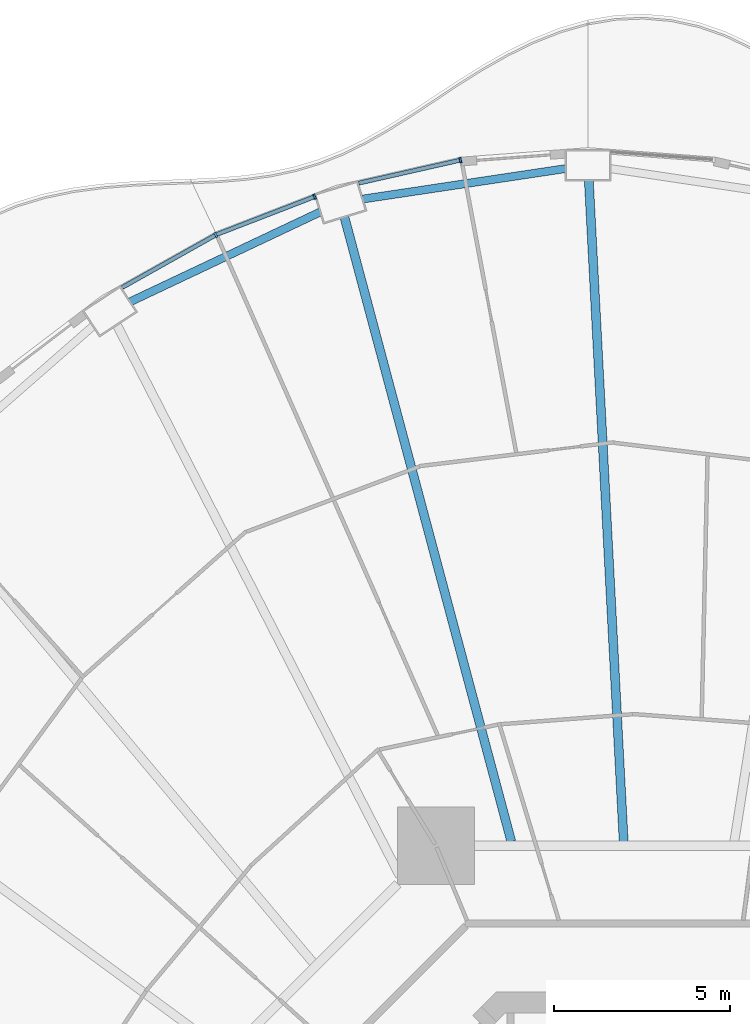
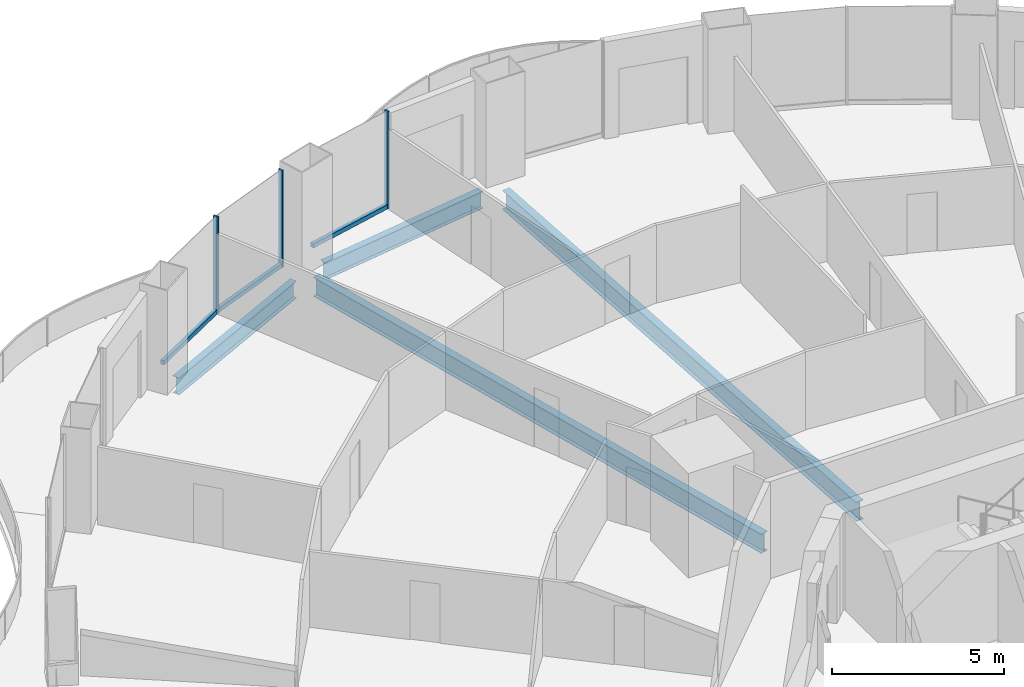
# One storey, part 9 of 22: 6 members, 4 beams, 3 elements without a shape of their own.
"""IFC4 building model written with IfcOpenShell, lengths in metres."""

import ifcopenshell
import ifcopenshell.guid

model = None  # the IFC model being written
_history = None  # IfcOwnerHistory: only IFC2X3 demands one
_inside = {}  # id of a spatial element -> (the spatial element, [elements in it])
_under = {}  # id of a project, library or spatial element -> (it, [spatial elements below it])
_declared = {}  # id of a project -> (the project, [libraries it declares])
_typed = {}  # id of a type object -> (the type object, [elements of that type])
_made_of = {}  # id of a material, layer set ... -> (it, [elements and type objects made of it])


def new_model(schema):
    """Start an empty IFC model of exactly this schema.

    Asked for "IFC4X3", IfcOpenShell would pick the latest addendum, in which some entities
    have other attributes; the version numbers below select the first issue.
    IFC2X3 requires an IfcOwnerHistory on every rooted entity: one is made here for all.
    """
    global model, _history
    if schema == "IFC4X3":
        model = ifcopenshell.file(schema_version=(4, 3, 0, 0))
    else:
        model = ifcopenshell.file(schema=schema)
    _inside.clear()
    _under.clear()
    _declared.clear()
    _typed.clear()
    _made_of.clear()
    _history = None
    if model.schema == "IFC2X3":
        org = make("IfcOrganization", Name="unknown")
        user = make(
            "IfcPersonAndOrganization",
            ThePerson=make("IfcPerson", FamilyName="unknown"),
            TheOrganization=org,
        )
        app = make(
            "IfcApplication",
            ApplicationDeveloper=org,
            Version="unknown",
            ApplicationFullName="unknown",
            ApplicationIdentifier="unknown",
        )
        _history = make(
            "IfcOwnerHistory",
            OwningUser=user,
            OwningApplication=app,
            ChangeAction="ADDED",
            CreationDate=0,
        )
    return model


def make(cls, **values):
    """One entity of the class cls with the attributes given. An attribute that is None is left unset."""
    return model.create_entity(
        cls, **{name: value for name, value in values.items() if value is not None}
    )


def rooted(cls, **values):
    """An entity with a GlobalId (a new one), such as an element, a storey or a relation."""
    return make(cls, GlobalId=ifcopenshell.guid.new(), OwnerHistory=_history, **values)


def si_unit(unit_type, name, prefix=None):
    """IfcSIUnit, for example si_unit("LENGTHUNIT", "METRE", prefix="MILLI")."""
    return make("IfcSIUnit", UnitType=unit_type, Prefix=prefix, Name=name)


def assignment(units):
    """IfcUnitAssignment: the units of a project."""
    return None if units is None else make("IfcUnitAssignment", Units=units)


def point(xyz):
    """IfcCartesianPoint."""
    return None if xyz is None else make("IfcCartesianPoint", Coordinates=xyz)


def direction(xyz):
    """IfcDirection."""
    return None if xyz is None else make("IfcDirection", DirectionRatios=xyz)


def frame(location, z_axis=None, x_axis=None):
    """IfcAxis2Placement3D, a coordinate frame: its origin and axes. An axis left out is left unset."""
    return make(
        "IfcAxis2Placement3D",
        Location=point(location),
        Axis=direction(z_axis),
        RefDirection=direction(x_axis),
    )


def frame_2d(location, x_axis=None):
    """IfcAxis2Placement2D, a coordinate frame in the plane: its origin and x axis."""
    return make(
        "IfcAxis2Placement2D", Location=point(location), RefDirection=direction(x_axis)
    )


def origin():
    """The frame at (0, 0, 0) with its axes left unset."""
    return frame((0.0, 0.0, 0.0))


def origin_2d():
    """The frame at (0, 0) in the plane with its x axis left unset."""
    return frame_2d((0.0, 0.0))


def place(relative_to, where):
    """IfcLocalPlacement: puts the frame where relative to a parent placement (None: the world)."""
    return make(
        "IfcLocalPlacement", PlacementRelTo=relative_to, RelativePlacement=where
    )


def context(
    kind, dimensions, precision=None, world=None, true_north=None, identifier=None
):
    """IfcGeometricRepresentationContext, for example the 3D "Model" context."""
    return make(
        "IfcGeometricRepresentationContext",
        ContextIdentifier=identifier,
        ContextType=kind,
        CoordinateSpaceDimension=dimensions,
        Precision=precision,
        WorldCoordinateSystem=world,
        TrueNorth=true_north,
    )


def subcontext(parent, identifier, kind, view, scale=None):
    """IfcGeometricRepresentationSubContext, for example "Body" below "Model"."""
    return make(
        "IfcGeometricRepresentationSubContext",
        ContextIdentifier=identifier,
        ContextType=kind,
        ParentContext=parent,
        TargetScale=scale,
        TargetView=view,
    )


def project(units=None, contexts=None):
    """IfcProject with its units and contexts."""
    return rooted(
        "IfcProject",
        Name="project",
        RepresentationContexts=contexts,
        UnitsInContext=assignment(units),
    )


def spatial(cls, under=None, at=None, **own):
    """A site, building, storey or space (cls), placed at a placement, below another one or the project."""
    s = rooted(cls, ObjectPlacement=at, **own)
    if under is not None:
        _under.setdefault(under.id(), (under, []))[1].append(s)
    return s


def profile(cls, at=None, kind="AREA", **sizes):
    """A parametric profile (cls). Its sizes go by their IFC names, for example OverallWidth=200.0."""
    return make(cls, ProfileType=kind, Position=at, **sizes)


def rectangle(**sizes):
    """IfcRectangleProfileDef."""
    return profile("IfcRectangleProfileDef", **sizes)


def i_section(**sizes):
    """IfcIShapeProfileDef."""
    return profile("IfcIShapeProfileDef", **sizes)


def extrude(swept, where, along, depth):
    """IfcExtrudedAreaSolid: the profile swept, set in the frame where, extruded along a direction by depth."""
    return make(
        "IfcExtrudedAreaSolid",
        SweptArea=swept,
        Position=where,
        ExtrudedDirection=direction(along),
        Depth=depth,
    )


def shape(context_of_items, identifier, shape_type, items):
    """IfcShapeRepresentation: the items that make up one representation, for example the "Body"."""
    return make(
        "IfcShapeRepresentation",
        ContextOfItems=context_of_items,
        RepresentationIdentifier=identifier,
        RepresentationType=shape_type,
        Items=items,
    )


def material(Name=None, Category=None):
    """IfcMaterial."""
    return make("IfcMaterial", Name=Name, Category=Category)


def layer(
    of_material, thickness, ventilated=None, Name=None, Category=None, Priority=None
):
    """IfcMaterialLayer: one layer of a wall or slab, of a material (None: an air gap)."""
    return make(
        "IfcMaterialLayer",
        Material=of_material,
        LayerThickness=thickness,
        IsVentilated=ventilated,
        Name=Name,
        Category=Category,
        Priority=Priority,
    )


def layer_set(layers, Name=None):
    """IfcMaterialLayerSet."""
    return make("IfcMaterialLayerSet", MaterialLayers=layers, LayerSetName=Name)


def material_profile(
    of_material, cross_section, Name=None, Category=None, Priority=None
):
    """IfcMaterialProfile: a cross section and its material."""
    return make(
        "IfcMaterialProfile",
        Name=Name,
        Material=of_material,
        Profile=cross_section,
        Priority=Priority,
        Category=Category,
    )


def profile_set(profiles, Name=None, composite=None):
    """IfcMaterialProfileSet."""
    return make(
        "IfcMaterialProfileSet",
        Name=Name,
        MaterialProfiles=profiles,
        CompositeProfile=composite,
    )


def made_of(thing, what):
    """Note that an element or type object is made of a material, layer set ...; save() writes the relation."""
    if what is not None:
        _made_of.setdefault(what.id(), (what, []))[1].append(thing)
    return thing


def type_object(cls, material=None, **own):
    """A type object (cls), such as IfcWallType, which elements share."""
    return made_of(rooted(cls, **own), material)


def element(
    cls,
    number,
    at=None,
    inside=None,
    cuts=None,
    type_object=None,
    material=None,
    context=None,
    identifier="Body",
    shape_type=None,
    held_by="IfcProductDefinitionShape",
    body=None,
    shapes=None,
    **own,
):
    """One element of the class cls, such as IfcWall. Its Tag is "e" and its number.

    at: its placement. inside: the storey or other place that contains it. cuts: it is an
    opening in that element (IfcRelVoidsElement). A single representation is given by context,
    identifier, shape_type and body (its items); several are given by shapes. held_by: the class
    of the entity that holds the representations. save() writes the other relations.
    """
    e = rooted(cls, Tag="e%d" % number, ObjectPlacement=at, **own)
    if body is not None:
        shapes = [shape(context, identifier, shape_type, body)]
    if shapes is not None:
        e.Representation = make(held_by, Representations=shapes)
    if inside is not None:
        _inside.setdefault(inside.id(), (inside, []))[1].append(e)
    if cuts is not None:
        rooted(
            "IfcRelVoidsElement", RelatingBuildingElement=cuts, RelatedOpeningElement=e
        )
    if type_object is not None:
        _typed.setdefault(type_object.id(), (type_object, []))[1].append(e)
    return made_of(e, material)


def aggregate(whole, parts):
    """IfcRelAggregates: a whole, such as a stair, and the parts it consists of."""
    return rooted("IfcRelAggregates", RelatingObject=whole, RelatedObjects=parts)


def save(model, path):
    """Write the relations noted so far, then the file.

    IfcRelAggregates (storeys below a building ...), IfcRelContainedInSpatialStructure (elements
    in a storey), IfcRelDefinesByType, IfcRelAssociatesMaterial and IfcRelDeclares: one each for
    every whole, place, type object, material and project.
    """
    for whole, parts in _under.values():
        aggregate(whole, parts)
    for where, things in _inside.values():
        rooted(
            "IfcRelContainedInSpatialStructure",
            RelatedElements=things,
            RelatingStructure=where,
        )
    for kind, things in _typed.values():
        rooted("IfcRelDefinesByType", RelatedObjects=things, RelatingType=kind)
    for what, things in _made_of.values():
        rooted("IfcRelAssociatesMaterial", RelatedObjects=things, RelatingMaterial=what)
    for by, libraries in _declared.values():
        rooted("IfcRelDeclares", RelatingContext=by, RelatedDefinitions=libraries)
    model.write(path)


model = new_model("IFC4")

# Units and contexts
model_context = context("Model", 3, precision=1e-05, world=origin(), true_north=direction((0.0, 1.0)))
body_context = subcontext(model_context, "Body", "Model", "MODEL_VIEW")
ifc_project = project(units=[si_unit("LENGTHUNIT", "METRE"), si_unit("AREAUNIT", "SQUARE_METRE"), si_unit("VOLUMEUNIT", "CUBIC_METRE"), si_unit("PLANEANGLEUNIT", "RADIAN"), si_unit("MASSUNIT", "GRAM", prefix="KILO")], contexts=[model_context])

# Site, building, storey
site_placement = place(None, origin())
site = spatial("IfcSite", under=ifc_project, at=site_placement, CompositionType="ELEMENT")
building_placement = place(site_placement, origin())
building = spatial("IfcBuilding", under=site, at=building_placement, Name="Nagisa Residences", CompositionType="ELEMENT")
storey_placement = place(building_placement, frame((0.0, 0.0, 77.0)))
storey = spatial("IfcBuildingStorey", under=building, at=storey_placement, Name="L18", CompositionType="ELEMENT", Elevation=77.0)

# Curtain wall, member
ifc_material_1 = material(Name="Concrete-coloured aluminium curtain wall system", Category="concrete")
ifc_layer = layer(ifc_material_1, 0.159912109375)
ifc_layer_set = layer_set([ifc_layer], Name="CW1 CURTAIN WALL")
curtain_wall_type = type_object("IfcCurtainWallType", Name="CW1 CURTAIN WALL", PredefinedType="NOTDEFINED", material=ifc_layer_set)
curtain_wall_1_placement = place(storey_placement, origin())
curtain_wall_1 = element("IfcCurtainWall", 1, at=curtain_wall_1_placement, inside=storey, type_object=curtain_wall_type, Name="cw:CW1:L18:13", PredefinedType="NOTDEFINED")
ifc_material_2 = material(Name="Concrete-coloured aluminium", Category="concrete")
ifc_material_profile_1 = material_profile(ifc_material_2, rectangle(XDim=0.159912109375, YDim=0.06005859375, at=origin_2d()), Name="CW1 MULLION 160x60")
ifc_profile_set_1 = profile_set([ifc_material_profile_1], Name="Concrete-coloured aluminium")
member_type_1 = type_object("IfcMemberType", Name="CW1 MULLION 160x60", PredefinedType="MULLION", material=ifc_profile_set_1)
member_1_placement = place(storey_placement, frame((-5.426513671875, 34.2783203125, 0.0), z_axis=(0.0, 0.0, 1.0), x_axis=(0.2207639201, -0.975327274089, 0.0)))
member_1 = element("IfcMember", 2, at=member_1_placement, type_object=member_type_1, Name="CW1 mullion", PredefinedType="MULLION", context=body_context, shape_type="SweptSolid", body=[
    extrude(rectangle(XDim=0.159912109375, YDim=0.06005859375, at=origin_2d()), origin(), (0.0, 0.0, 1.0), 3.43994140625),
])

curtain_wall_2_placement = place(storey_placement, origin())
curtain_wall_2 = element("IfcCurtainWall", 3, at=curtain_wall_2_placement, inside=storey, type_object=curtain_wall_type, Name="cw:CW1:L18:14", PredefinedType="NOTDEFINED")
member_2_placement = place(storey_placement, frame((-9.573486328125, 33.2392578125, 0.0), z_axis=(0.0, 0.0, 1.0), x_axis=(0.360327770268, -0.932825759707, 0.0)))
member_2 = element("IfcMember", 4, at=member_2_placement, type_object=member_type_1, Name="CW1 mullion", PredefinedType="MULLION", context=body_context, shape_type="SweptSolid", body=[
    extrude(rectangle(XDim=0.159912109375, YDim=0.06005859375, at=origin_2d()), origin(), (0.0, 0.0, 1.0), 3.43994140625),
])

curtain_wall_3_placement = place(storey_placement, origin())
curtain_wall_3 = element("IfcCurtainWall", 5, at=curtain_wall_3_placement, inside=storey, type_object=curtain_wall_type, Name="cw:CW1:L18:15", PredefinedType="NOTDEFINED")
member_3_placement = place(storey_placement, frame((-12.385498046875, 32.1494140625, 0.0), z_axis=(0.0, 0.0, 1.0), x_axis=(0.489376918501, -0.872072377523, 0.0)))
member_3 = element("IfcMember", 6, at=member_3_placement, type_object=member_type_1, Name="CW1 mullion", PredefinedType="MULLION", context=body_context, shape_type="SweptSolid", body=[
    extrude(rectangle(XDim=0.159912109375, YDim=0.06005859375, at=origin_2d()), origin(), (0.0, 0.0, 1.0), 3.43994140625),
])

# Member
ifc_material_3 = material(Name="Concrete-coloured aluminium", Category="concrete")
ifc_material_profile_2 = material_profile(ifc_material_3, rectangle(XDim=0.1201171875, YDim=0.14990234375, at=origin_2d()), Name="CW1 TRANSOM 120x150")
ifc_profile_set_2 = profile_set([ifc_material_profile_2], Name="Concrete-coloured aluminium")
member_type_2 = type_object("IfcMemberType", Name="CW1 TRANSOM 120x150", PredefinedType="USERDEFINED", material=ifc_profile_set_2)
member_4_placement = place(storey_placement, frame((-5.397216796875, 34.28515625, 0.074951171875), z_axis=(-0.975317607872, -0.220806620767, 0.0), x_axis=(0.220806620767, -0.975317607872, 0.0)))
member_4 = element("IfcMember", 7, at=member_4_placement, type_object=member_type_2, Name="CW1 transom", ObjectType="TRANSOM", PredefinedType="USERDEFINED", context=body_context, shape_type="SweptSolid", body=[
    extrude(rectangle(XDim=0.1201171875, YDim=0.14990234375, at=origin_2d()), origin(), (0.0, 0.0, 1.0), 2.9931640625),
])

aggregate(curtain_wall_1, [member_1, member_4])

member_5_placement = place(storey_placement, frame((-9.54541015625, 33.25, 0.074951171875), z_axis=(-0.932837560624, -0.360297218263, 0.0), x_axis=(0.360297218263, -0.932837560624, 0.0)))
member_5 = element("IfcMember", 8, at=member_5_placement, type_object=member_type_2, Name="CW1 transom", ObjectType="TRANSOM", PredefinedType="USERDEFINED", context=body_context, shape_type="SweptSolid", body=[
    extrude(rectangle(XDim=0.1201171875, YDim=0.14990234375, at=origin_2d()), origin(), (0.0, 0.0, 1.0), 3.027587890625),
])

aggregate(curtain_wall_2, [member_2, member_5])

member_6_placement = place(storey_placement, frame((-12.359375, 32.1640625, 0.074951171875), z_axis=(-0.872037280335, -0.489439456631, 0.0), x_axis=(0.489439456631, -0.872037280335, 0.0)))
member_6 = element("IfcMember", 9, at=member_6_placement, type_object=member_type_2, Name="CW1 transom", ObjectType="TRANSOM", PredefinedType="USERDEFINED", context=body_context, shape_type="SweptSolid", body=[
    extrude(rectangle(XDim=0.1201171875, YDim=0.14990234375, at=origin_2d()), origin(), (0.0, 0.0, 1.0), 3.07568359375),
])

aggregate(curtain_wall_3, [member_3, member_6])

# Beams
ifc_material_4 = material(Name="Steel ASTM A572 Gr 50", Category="steel")
ifc_material_profile_3 = material_profile(ifc_material_4, i_section(OverallWidth=0.22802734375, OverallDepth=0.60302734375, WebThickness=0.010498046875, FlangeThickness=0.014892578125, at=origin_2d()), Name="W610x101")
ifc_profile_set_3 = profile_set([ifc_material_profile_3], Name="Steel ASTM A572 Gr 50")
beam_type_1 = type_object("IfcBeamType", Name="Perimeter ring beam W610x101", PredefinedType="BEAM", material=ifc_profile_set_3)
beam_1_placement = place(storey_placement, frame((-2.43017578125, 34.0380859375, -0.5615234375), z_axis=(-0.988913048607, -0.148495731568, 0.0), x_axis=(0.148495731568, -0.988913048607, 0.0)))
element("IfcBeam", 10, at=beam_1_placement, inside=storey, type_object=beam_type_1, Name="beam:L18:pb07", PredefinedType="BEAM", context=body_context, shape_type="SweptSolid", body=[
    extrude(i_section(OverallWidth=0.22802734375, OverallDepth=0.60302734375, WebThickness=0.010498046875, FlangeThickness=0.014892578125, at=origin_2d()), origin(), (0.0, 0.0, 1.0), 5.843017578125),
])
beam_2_placement = place(storey_placement, frame((-9.41455078125, 32.8037109375, -0.5615234375), z_axis=(-0.90418952838, -0.427131474804, 0.0), x_axis=(0.427131474804, -0.90418952838, 0.0)))
element("IfcBeam", 11, at=beam_2_placement, inside=storey, type_object=beam_type_1, Name="beam:L18:pb08", PredefinedType="BEAM", context=body_context, shape_type="SweptSolid", body=[
    extrude(i_section(OverallWidth=0.22802734375, OverallDepth=0.60302734375, WebThickness=0.010498046875, FlangeThickness=0.014892578125, at=origin_2d()), origin(), (0.0, 0.0, 1.0), 5.98046875),
])
ifc_material_5 = material(Name="Steel ASTM A572 Gr 50", Category="steel")
ifc_material_profile_4 = material_profile(ifc_material_5, i_section(OverallWidth=0.2529296875, OverallDepth=0.677978515625, WebThickness=0.01171875, FlangeThickness=0.016357421875, at=origin_2d()), Name="W690x125")
ifc_profile_set_4 = profile_set([ifc_material_profile_4], Name="Steel ASTM A572 Gr 50")
beam_type_2 = type_object("IfcBeamType", Name="Radial beam W690x125", PredefinedType="BEAM", material=ifc_profile_set_4)
beam_3_placement = place(storey_placement, frame((-1.77734375, 33.70263671875, -0.59912109375), z_axis=(0.05266700958, -0.998612129959, 0.0), x_axis=(0.998612129959, 0.05266700958, 0.0)))
element("IfcBeam", 12, at=beam_3_placement, inside=storey, type_object=beam_type_2, Name="beam:L18:rb07", PredefinedType="BEAM", context=body_context, shape_type="SweptSolid", body=[
    extrude(i_section(OverallWidth=0.2529296875, OverallDepth=0.677978515625, WebThickness=0.01171875, FlangeThickness=0.016357421875, at=origin_2d()), origin(), (0.0, 0.0, 1.0), 18.834228515625),
])
beam_4_placement = place(storey_placement, frame((-8.7275390625, 32.66015625, -0.59912109375), z_axis=(0.258170831181, -0.96609928161, 0.0), x_axis=(0.96609928161, 0.258170831181, 0.0)))
element("IfcBeam", 13, at=beam_4_placement, inside=storey, type_object=beam_type_2, Name="beam:L18:rb08", PredefinedType="BEAM", context=body_context, shape_type="SweptSolid", body=[
    extrude(i_section(OverallWidth=0.2529296875, OverallDepth=0.677978515625, WebThickness=0.01171875, FlangeThickness=0.016357421875, at=origin_2d()), origin(), (0.0, 0.0, 1.0), 18.38818359375),
])

save(model, "model.ifc")
